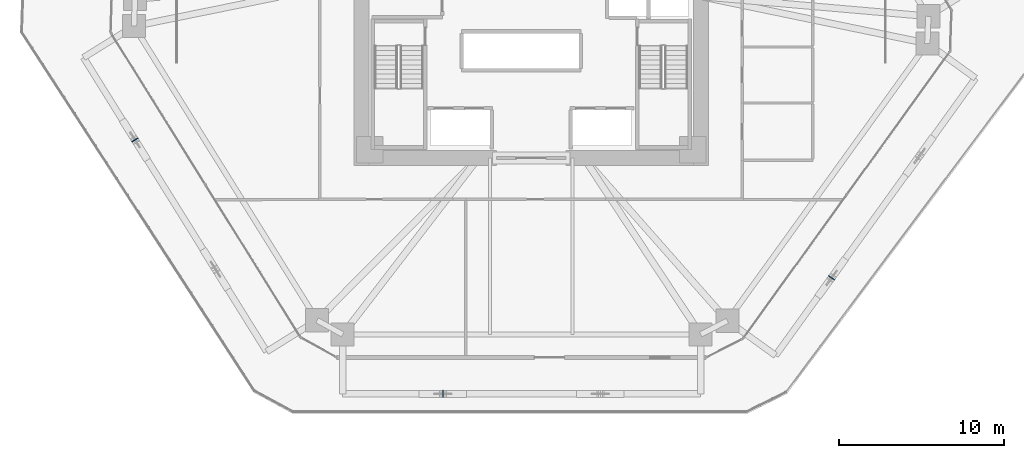
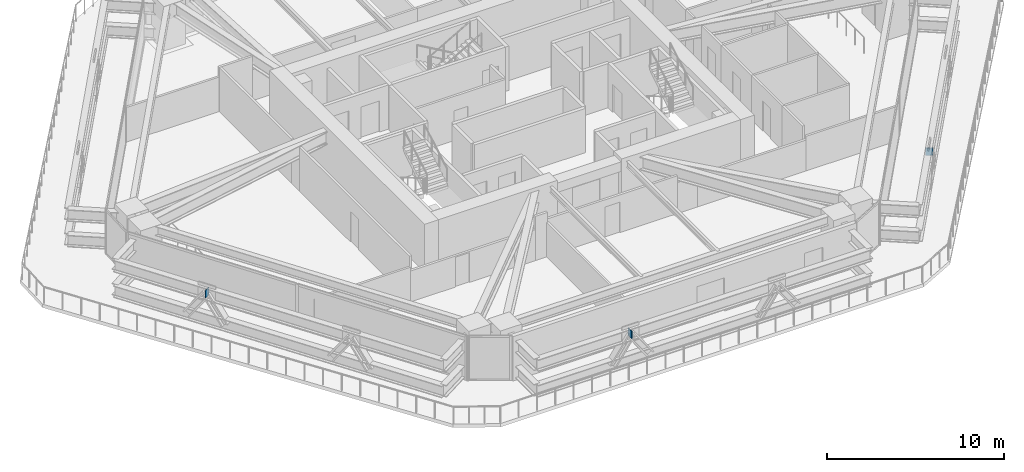
# One storey, part 11 of 20: 3 plates.
"""IFC4 building model written with IfcOpenShell, lengths in metres."""

from ifc_helpers import new_model, si_unit, direction, frame, origin, origin_2d, place, context, subcontext, project, spatial, rectangle, extrude, source, transform, mapped, material, layer, layer_set, type_object, type_shapes, element, save


model = new_model("IFC4")

# Units and contexts
model_context = context("Model", 3, precision=1e-05, world=origin(), true_north=direction((0.0, 1.0)))
body_context = subcontext(model_context, "Body", "Model", "MODEL_VIEW")
ifc_project = project(units=[si_unit("LENGTHUNIT", "METRE"), si_unit("AREAUNIT", "SQUARE_METRE"), si_unit("VOLUMEUNIT", "CUBIC_METRE"), si_unit("PLANEANGLEUNIT", "RADIAN"), si_unit("MASSUNIT", "GRAM", prefix="KILO")], contexts=[model_context])

# Site, building, storey
site_placement = place(None, origin())
site = spatial("IfcSite", under=ifc_project, at=site_placement, CompositionType="ELEMENT")
building_placement = place(site_placement, origin())
building = spatial("IfcBuilding", under=site, at=building_placement, Name="Durnholm Broadcast Tower", CompositionType="ELEMENT")
storey_placement = place(building_placement, frame((0.0, 0.0, 32.39990234375)))
storey = spatial("IfcBuildingStorey", under=building, at=storey_placement, Name="L06", CompositionType="ELEMENT", Elevation=32.39990234375)

# Plates
ifc_material = material(Name="Steel ASTM A572 Grade 50", Category="steel")
ifc_layer = layer(ifc_material, 0.044921875)
ifc_layer_set = layer_set([ifc_layer], Name="Steel ASTM A572 Grade 50")
plate_type = type_object("IfcPlateType", Name="PLT-KN-STIF", PredefinedType="SHEET", material=ifc_layer_set)
shared_shape = source(origin(), body_context, "Body", "SweptSolid", [
    extrude(rectangle(XDim=0.044921875, YDim=0.419921875, at=origin_2d()), origin(), (0.0, 0.0, 1.0), 0.52001953125),
])
type_shapes(plate_type, [shared_shape])
for number, where, z_axis, x_axis, name in (
    (1, (-5.351318359375, -22.60009765625, 2.048583984375), (0.0, 0.0, 1.0), (1.0, 0.0, 0.0), "L06 welded diagrid node stiffener plate F1"),
    (2, (18.223388671875, -15.56396484375, 2.048583984375), (0.0, 0.0, 1.0), (0.584816108738, 0.81116590101, 0.0), "L06 welded diagrid node stiffener plate F2"),
    (3, (-24.036376953125, -7.197509765625, 2.048583984375), (0.0, 0.0, 1.0), (0.528586500185, -0.848879444811, 0.0), "L06 welded diagrid node stiffener plate F6"),
):
    element("IfcPlate", number, at=place(storey_placement, frame(where, z_axis=z_axis, x_axis=x_axis)), inside=storey, type_object=plate_type, Name=name, PredefinedType="SHEET", context=body_context, shape_type="MappedRepresentation", body=[
        mapped(shared_shape, transform((0.0, 0.0, 0.0), x_axis=(1.0, 0.0, 0.0), y_axis=(0.0, 1.0, 0.0), z_axis=(0.0, 0.0, 1.0), scale=1.0)),
    ])

save(model, "model.ifc")
